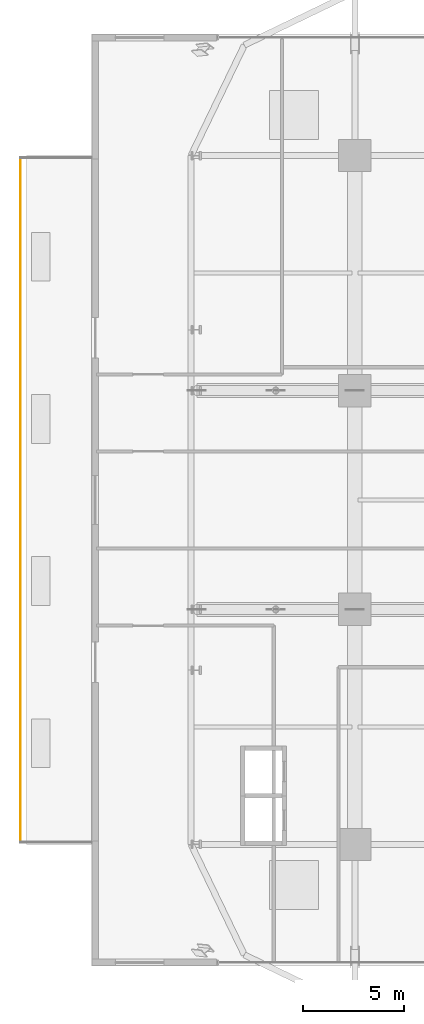
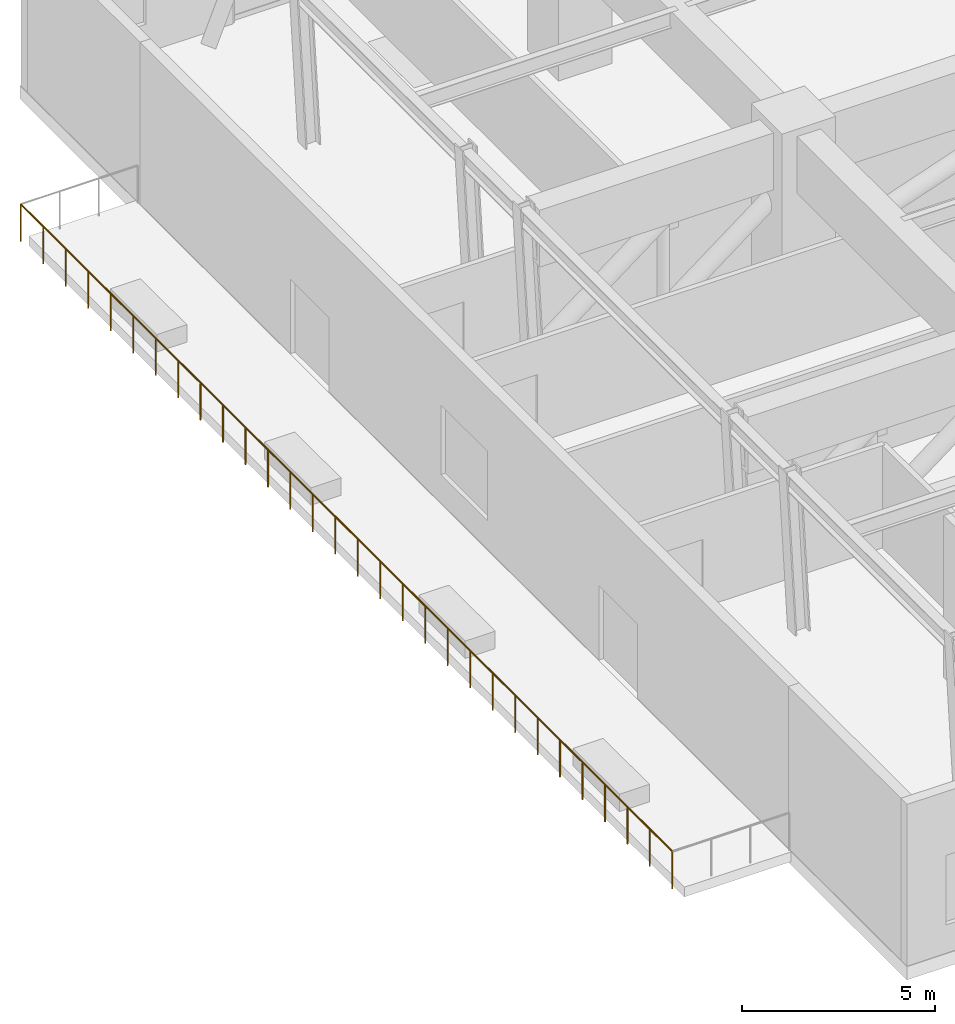
# One storey, part 25 of 29: 1 railing.
"""IFC4 building model written with IfcOpenShell, lengths in metres."""

import ifcopenshell
import ifcopenshell.guid

model = None  # the IFC model being written
_history = None  # IfcOwnerHistory: only IFC2X3 demands one
_inside = {}  # id of a spatial element -> (the spatial element, [elements in it])
_under = {}  # id of a project, library or spatial element -> (it, [spatial elements below it])
_declared = {}  # id of a project -> (the project, [libraries it declares])
_typed = {}  # id of a type object -> (the type object, [elements of that type])
_made_of = {}  # id of a material, layer set ... -> (it, [elements and type objects made of it])


def new_model(schema):
    """Start an empty IFC model of exactly this schema.

    Asked for "IFC4X3", IfcOpenShell would pick the latest addendum, in which some entities
    have other attributes; the version numbers below select the first issue.
    IFC2X3 requires an IfcOwnerHistory on every rooted entity: one is made here for all.
    """
    global model, _history
    if schema == "IFC4X3":
        model = ifcopenshell.file(schema_version=(4, 3, 0, 0))
    else:
        model = ifcopenshell.file(schema=schema)
    _inside.clear()
    _under.clear()
    _declared.clear()
    _typed.clear()
    _made_of.clear()
    _history = None
    if model.schema == "IFC2X3":
        org = make("IfcOrganization", Name="unknown")
        user = make(
            "IfcPersonAndOrganization",
            ThePerson=make("IfcPerson", FamilyName="unknown"),
            TheOrganization=org,
        )
        app = make(
            "IfcApplication",
            ApplicationDeveloper=org,
            Version="unknown",
            ApplicationFullName="unknown",
            ApplicationIdentifier="unknown",
        )
        _history = make(
            "IfcOwnerHistory",
            OwningUser=user,
            OwningApplication=app,
            ChangeAction="ADDED",
            CreationDate=0,
        )
    return model


def make(cls, **values):
    """One entity of the class cls with the attributes given. An attribute that is None is left unset."""
    return model.create_entity(
        cls, **{name: value for name, value in values.items() if value is not None}
    )


def rooted(cls, **values):
    """An entity with a GlobalId (a new one), such as an element, a storey or a relation."""
    return make(cls, GlobalId=ifcopenshell.guid.new(), OwnerHistory=_history, **values)


def si_unit(unit_type, name, prefix=None):
    """IfcSIUnit, for example si_unit("LENGTHUNIT", "METRE", prefix="MILLI")."""
    return make("IfcSIUnit", UnitType=unit_type, Prefix=prefix, Name=name)


def assignment(units):
    """IfcUnitAssignment: the units of a project."""
    return None if units is None else make("IfcUnitAssignment", Units=units)


def point(xyz):
    """IfcCartesianPoint."""
    return None if xyz is None else make("IfcCartesianPoint", Coordinates=xyz)


def direction(xyz):
    """IfcDirection."""
    return None if xyz is None else make("IfcDirection", DirectionRatios=xyz)


def frame(location, z_axis=None, x_axis=None):
    """IfcAxis2Placement3D, a coordinate frame: its origin and axes. An axis left out is left unset."""
    return make(
        "IfcAxis2Placement3D",
        Location=point(location),
        Axis=direction(z_axis),
        RefDirection=direction(x_axis),
    )


def frame_2d(location, x_axis=None):
    """IfcAxis2Placement2D, a coordinate frame in the plane: its origin and x axis."""
    return make(
        "IfcAxis2Placement2D", Location=point(location), RefDirection=direction(x_axis)
    )


def origin():
    """The frame at (0, 0, 0) with its axes left unset."""
    return frame((0.0, 0.0, 0.0))


def origin_2d():
    """The frame at (0, 0) in the plane with its x axis left unset."""
    return frame_2d((0.0, 0.0))


def place(relative_to, where):
    """IfcLocalPlacement: puts the frame where relative to a parent placement (None: the world)."""
    return make(
        "IfcLocalPlacement", PlacementRelTo=relative_to, RelativePlacement=where
    )


def context(
    kind, dimensions, precision=None, world=None, true_north=None, identifier=None
):
    """IfcGeometricRepresentationContext, for example the 3D "Model" context."""
    return make(
        "IfcGeometricRepresentationContext",
        ContextIdentifier=identifier,
        ContextType=kind,
        CoordinateSpaceDimension=dimensions,
        Precision=precision,
        WorldCoordinateSystem=world,
        TrueNorth=true_north,
    )


def subcontext(parent, identifier, kind, view, scale=None):
    """IfcGeometricRepresentationSubContext, for example "Body" below "Model"."""
    return make(
        "IfcGeometricRepresentationSubContext",
        ContextIdentifier=identifier,
        ContextType=kind,
        ParentContext=parent,
        TargetScale=scale,
        TargetView=view,
    )


def project(units=None, contexts=None):
    """IfcProject with its units and contexts."""
    return rooted(
        "IfcProject",
        Name="project",
        RepresentationContexts=contexts,
        UnitsInContext=assignment(units),
    )


def spatial(cls, under=None, at=None, **own):
    """A site, building, storey or space (cls), placed at a placement, below another one or the project."""
    s = rooted(cls, ObjectPlacement=at, **own)
    if under is not None:
        _under.setdefault(under.id(), (under, []))[1].append(s)
    return s


def profile(cls, at=None, kind="AREA", **sizes):
    """A parametric profile (cls). Its sizes go by their IFC names, for example OverallWidth=200.0."""
    return make(cls, ProfileType=kind, Position=at, **sizes)


def circle(**sizes):
    """IfcCircleProfileDef."""
    return profile("IfcCircleProfileDef", **sizes)


def extrude(swept, where, along, depth):
    """IfcExtrudedAreaSolid: the profile swept, set in the frame where, extruded along a direction by depth."""
    return make(
        "IfcExtrudedAreaSolid",
        SweptArea=swept,
        Position=where,
        ExtrudedDirection=direction(along),
        Depth=depth,
    )


def shape(context_of_items, identifier, shape_type, items):
    """IfcShapeRepresentation: the items that make up one representation, for example the "Body"."""
    return make(
        "IfcShapeRepresentation",
        ContextOfItems=context_of_items,
        RepresentationIdentifier=identifier,
        RepresentationType=shape_type,
        Items=items,
    )


def material(Name=None, Category=None):
    """IfcMaterial."""
    return make("IfcMaterial", Name=Name, Category=Category)


def made_of(thing, what):
    """Note that an element or type object is made of a material, layer set ...; save() writes the relation."""
    if what is not None:
        _made_of.setdefault(what.id(), (what, []))[1].append(thing)
    return thing


def type_object(cls, material=None, **own):
    """A type object (cls), such as IfcWallType, which elements share."""
    return made_of(rooted(cls, **own), material)


def element(
    cls,
    number,
    at=None,
    inside=None,
    cuts=None,
    type_object=None,
    material=None,
    context=None,
    identifier="Body",
    shape_type=None,
    held_by="IfcProductDefinitionShape",
    body=None,
    shapes=None,
    **own,
):
    """One element of the class cls, such as IfcWall. Its Tag is "e" and its number.

    at: its placement. inside: the storey or other place that contains it. cuts: it is an
    opening in that element (IfcRelVoidsElement). A single representation is given by context,
    identifier, shape_type and body (its items); several are given by shapes. held_by: the class
    of the entity that holds the representations. save() writes the other relations.
    """
    e = rooted(cls, Tag="e%d" % number, ObjectPlacement=at, **own)
    if body is not None:
        shapes = [shape(context, identifier, shape_type, body)]
    if shapes is not None:
        e.Representation = make(held_by, Representations=shapes)
    if inside is not None:
        _inside.setdefault(inside.id(), (inside, []))[1].append(e)
    if cuts is not None:
        rooted(
            "IfcRelVoidsElement", RelatingBuildingElement=cuts, RelatedOpeningElement=e
        )
    if type_object is not None:
        _typed.setdefault(type_object.id(), (type_object, []))[1].append(e)
    return made_of(e, material)


def aggregate(whole, parts):
    """IfcRelAggregates: a whole, such as a stair, and the parts it consists of."""
    return rooted("IfcRelAggregates", RelatingObject=whole, RelatedObjects=parts)


def save(model, path):
    """Write the relations noted so far, then the file.

    IfcRelAggregates (storeys below a building ...), IfcRelContainedInSpatialStructure (elements
    in a storey), IfcRelDefinesByType, IfcRelAssociatesMaterial and IfcRelDeclares: one each for
    every whole, place, type object, material and project.
    """
    for whole, parts in _under.values():
        aggregate(whole, parts)
    for where, things in _inside.values():
        rooted(
            "IfcRelContainedInSpatialStructure",
            RelatedElements=things,
            RelatingStructure=where,
        )
    for kind, things in _typed.values():
        rooted("IfcRelDefinesByType", RelatedObjects=things, RelatingType=kind)
    for what, things in _made_of.values():
        rooted("IfcRelAssociatesMaterial", RelatedObjects=things, RelatingMaterial=what)
    for by, libraries in _declared.values():
        rooted("IfcRelDeclares", RelatingContext=by, RelatedDefinitions=libraries)
    model.write(path)


model = new_model("IFC4")

# Units and contexts
model_context = context("Model", 3, precision=1e-05, world=origin(), true_north=direction((0.0, 1.0)))
body_context = subcontext(model_context, "Body", "Model", "MODEL_VIEW")
ifc_project = project(units=[si_unit("LENGTHUNIT", "METRE"), si_unit("AREAUNIT", "SQUARE_METRE"), si_unit("VOLUMEUNIT", "CUBIC_METRE"), si_unit("PLANEANGLEUNIT", "RADIAN"), si_unit("MASSUNIT", "GRAM", prefix="KILO")], contexts=[model_context])

# Site, building, storey
site_placement = place(None, origin())
site = spatial("IfcSite", under=ifc_project, at=site_placement, CompositionType="ELEMENT")
building_placement = place(site_placement, origin())
building = spatial("IfcBuilding", under=site, at=building_placement, Name="Nahalor Promenade Grand Hotel", CompositionType="ELEMENT")
storey_placement = place(building_placement, frame((0.0, 0.0, 27.0)))
storey = spatial("IfcBuildingStorey", under=building, at=storey_placement, Name="L05", CompositionType="ELEMENT", Elevation=27.0)

# Railing
ifc_material = material(Name="Anodised Bronze Aluminium EN AW-6063 T6", Category="aluminium")
railing_type = type_object("IfcRailingType", Name="Bronze Balcony Guardrail 1200 mm", PredefinedType="GUARDRAIL", material=ifc_material)
railing_placement = place(storey_placement, frame((-33.5, -16.89990234375, 0.0)))
element("IfcRailing", 1, at=railing_placement, inside=storey, type_object=railing_type, Name="L05 Edge Guardrail RL-L05-TERR-W-2", PredefinedType="GUARDRAIL", context=body_context, shape_type="SweptSolid", body=[
    extrude(circle(Radius=0.024048, at=origin_2d()), frame((0.0, 0.0, 1.17578125), z_axis=(0.0, 1.0, 0.0), x_axis=(-1.0, 0.0, 0.0)), (0.0, 0.0, 1.0), 33.7998046875),
    extrude(circle(Radius=0.020996, at=origin_2d()), origin(), (0.0, 0.0, 1.0), 1.14990234375),
    extrude(circle(Radius=0.020996, at=origin_2d()), frame((0.0, 1.16552734375, 0.0)), (0.0, 0.0, 1.0), 1.14990234375),
    extrude(circle(Radius=0.020996, at=origin_2d()), frame((0.0, 2.3310546875, 0.0)), (0.0, 0.0, 1.0), 1.14990234375),
    extrude(circle(Radius=0.020996, at=origin_2d()), frame((0.0, 3.49658203125, 0.0)), (0.0, 0.0, 1.0), 1.14990234375),
    extrude(circle(Radius=0.020996, at=origin_2d()), frame((0.0, 4.662109375, 0.0)), (0.0, 0.0, 1.0), 1.14990234375),
    extrude(circle(Radius=0.020996, at=origin_2d()), frame((0.0, 5.82763671875, 0.0)), (0.0, 0.0, 1.0), 1.14990234375),
    extrude(circle(Radius=0.020996, at=origin_2d()), frame((0.0, 6.9931640625, 0.0)), (0.0, 0.0, 1.0), 1.14990234375),
    extrude(circle(Radius=0.020996, at=origin_2d()), frame((0.0, 8.15869140625, 0.0)), (0.0, 0.0, 1.0), 1.14990234375),
    extrude(circle(Radius=0.020996, at=origin_2d()), frame((0.0, 9.323974609375, 0.0)), (0.0, 0.0, 1.0), 1.14990234375),
    extrude(circle(Radius=0.020996, at=origin_2d()), frame((0.0, 10.489501953125, 0.0)), (0.0, 0.0, 1.0), 1.14990234375),
    extrude(circle(Radius=0.020996, at=origin_2d()), frame((0.0, 11.655029296875, 0.0)), (0.0, 0.0, 1.0), 1.14990234375),
    extrude(circle(Radius=0.020996, at=origin_2d()), frame((0.0, 12.820556640625, 0.0)), (0.0, 0.0, 1.0), 1.14990234375),
    extrude(circle(Radius=0.020996, at=origin_2d()), frame((0.0, 13.986083984375, 0.0)), (0.0, 0.0, 1.0), 1.14990234375),
    extrude(circle(Radius=0.020996, at=origin_2d()), frame((0.0, 15.151611328125, 0.0)), (0.0, 0.0, 1.0), 1.14990234375),
    extrude(circle(Radius=0.020996, at=origin_2d()), frame((0.0, 16.317138671875, 0.0)), (0.0, 0.0, 1.0), 1.14990234375),
    extrude(circle(Radius=0.020996, at=origin_2d()), frame((0.0, 17.482666015625, 0.0)), (0.0, 0.0, 1.0), 1.14990234375),
    extrude(circle(Radius=0.020996, at=origin_2d()), frame((0.0, 18.648193359375, 0.0)), (0.0, 0.0, 1.0), 1.14990234375),
    extrude(circle(Radius=0.020996, at=origin_2d()), frame((0.0, 19.813720703125, 0.0)), (0.0, 0.0, 1.0), 1.14990234375),
    extrude(circle(Radius=0.020996, at=origin_2d()), frame((0.0, 20.979248046875, 0.0)), (0.0, 0.0, 1.0), 1.14990234375),
    extrude(circle(Radius=0.020996, at=origin_2d()), frame((0.0, 22.144775390625, 0.0)), (0.0, 0.0, 1.0), 1.14990234375),
    extrude(circle(Radius=0.020996, at=origin_2d()), frame((0.0, 23.310302734375, 0.0)), (0.0, 0.0, 1.0), 1.14990234375),
    extrude(circle(Radius=0.020996, at=origin_2d()), frame((0.0, 24.475830078125, 0.0)), (0.0, 0.0, 1.0), 1.14990234375),
    extrude(circle(Radius=0.020996, at=origin_2d()), frame((0.0, 25.64111328125, 0.0)), (0.0, 0.0, 1.0), 1.14990234375),
    extrude(circle(Radius=0.020996, at=origin_2d()), frame((0.0, 26.806640625, 0.0)), (0.0, 0.0, 1.0), 1.14990234375),
    extrude(circle(Radius=0.020996, at=origin_2d()), frame((0.0, 27.97216796875, 0.0)), (0.0, 0.0, 1.0), 1.14990234375),
    extrude(circle(Radius=0.020996, at=origin_2d()), frame((0.0, 29.1376953125, 0.0)), (0.0, 0.0, 1.0), 1.14990234375),
    extrude(circle(Radius=0.020996, at=origin_2d()), frame((0.0, 30.30322265625, 0.0)), (0.0, 0.0, 1.0), 1.14990234375),
    extrude(circle(Radius=0.020996, at=origin_2d()), frame((0.0, 31.46875, 0.0)), (0.0, 0.0, 1.0), 1.14990234375),
    extrude(circle(Radius=0.020996, at=origin_2d()), frame((0.0, 32.63427734375, 0.0)), (0.0, 0.0, 1.0), 1.14990234375),
    extrude(circle(Radius=0.020996, at=origin_2d()), frame((0.0, 33.7998046875, 0.0)), (0.0, 0.0, 1.0), 1.14990234375),
])

save(model, "model.ifc")
